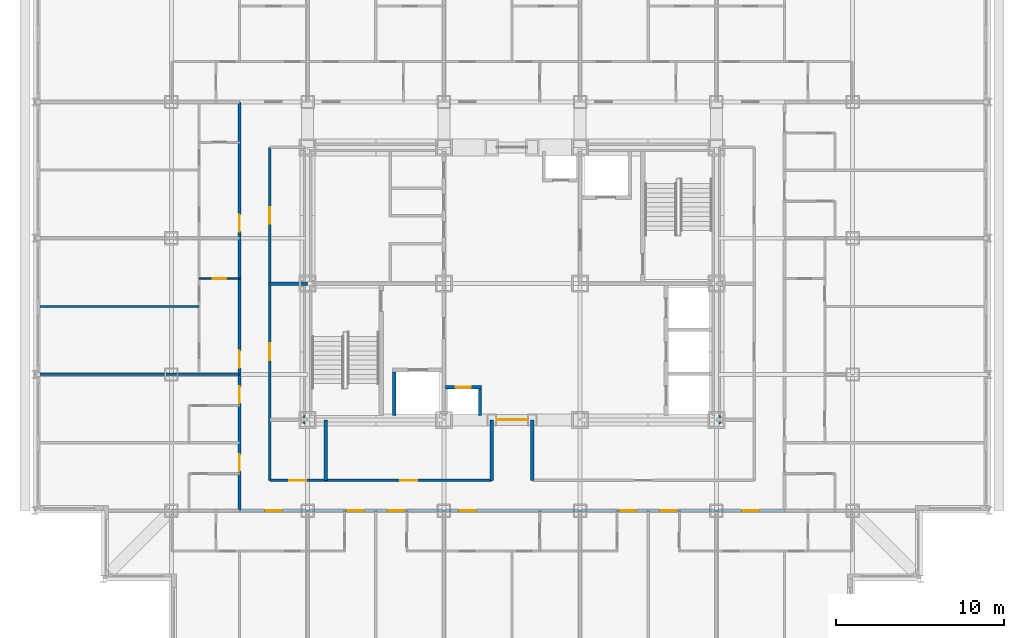
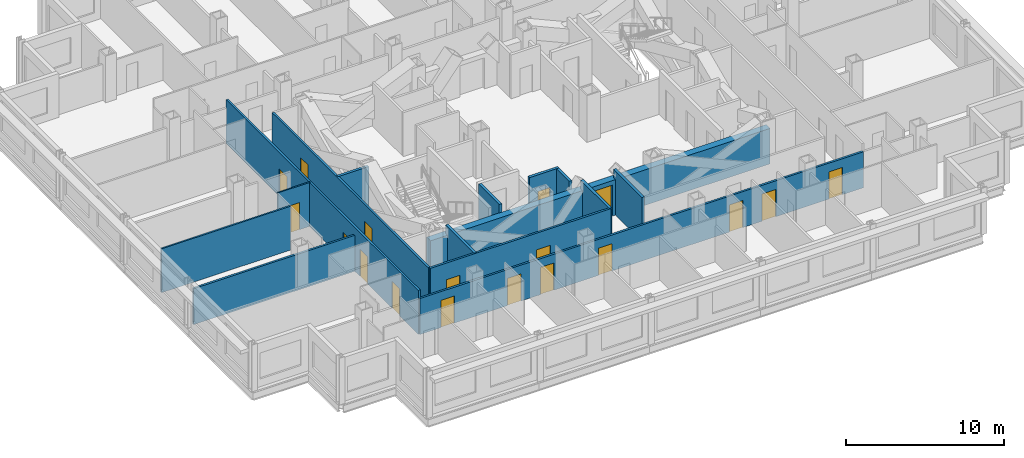
# One storey, part 5 of 12: 18 doors, 15 walls, 18 openings.
"""IFC4 building model written with IfcOpenShell, lengths in metres."""

from ifc_helpers import new_model, si_unit, direction, frame, frame_2d, origin, place, context, subcontext, project, spatial, rectangle, extrude, material, layer, layer_set, type_object, element, fill, save


model = new_model("IFC4")

# Units and contexts
model_context = context("Model", 3, precision=1e-05, world=origin(), true_north=direction((0.0, 1.0)))
body_context = subcontext(model_context, "Body", "Model", "MODEL_VIEW")
ifc_project = project(units=[si_unit("LENGTHUNIT", "METRE"), si_unit("AREAUNIT", "SQUARE_METRE"), si_unit("VOLUMEUNIT", "CUBIC_METRE"), si_unit("PLANEANGLEUNIT", "RADIAN"), si_unit("MASSUNIT", "GRAM", prefix="KILO")], contexts=[model_context])

# Site, building, storey
site_placement = place(None, origin())
site = spatial("IfcSite", under=ifc_project, at=site_placement, CompositionType="ELEMENT")
building_placement = place(site_placement, origin())
building = spatial("IfcBuilding", under=site, at=building_placement, Name="Kopane Lantern Tower", CompositionType="ELEMENT")
storey_placement = place(building_placement, frame((0.0, 0.0, 174.0)))
storey = spatial("IfcBuildingStorey", under=building, at=storey_placement, Name="L44", CompositionType="ELEMENT", Elevation=174.0)

# Wall
ifc_material_1 = material(Name="Gypsum board on steel studs", Category="steel")
ifc_layer_1 = layer(ifc_material_1, 0.1201171875)
ifc_layer_set_1 = layer_set([ifc_layer_1], Name="APARTMENT INTERNAL WALL 120")
wall_type_1 = type_object("IfcWallType", Name="APARTMENT INTERNAL WALL 120", PredefinedType="PARTITIONING", material=ifc_layer_set_1)
wall_1_placement = place(storey_placement, frame((9.75, 31.050048828125, 0.0), z_axis=(0.0, 0.0, 1.0), x_axis=(-1.0, 0.0, 0.0)))
element("IfcWall", 1, at=wall_1_placement, inside=storey, type_object=wall_type_1, Name="Apartment Internal Wall 120 L44", PredefinedType="PARTITIONING", context=body_context, shape_type="SweptSolid", body=[
    extrude(rectangle(XDim=9.449951171875, YDim=0.1201171875, at=frame_2d((4.72509765625, 0.0))), origin(), (0.0, 0.0, 1.0), 3.389892578125),
])

# Wall, opening, door
ifc_material_2 = material(Name="Moisture-resistant board on steel studs", Category="steel")
ifc_layer_2 = layer(ifc_material_2, 0.10009765625)
ifc_layer_set_2 = layer_set([ifc_layer_2], Name="BATHROOM WALL 100")
wall_type_2 = type_object("IfcWallType", Name="BATHROOM WALL 100", PredefinedType="PARTITIONING", material=ifc_layer_set_2)
wall_2_placement = place(storey_placement, frame((12.14990234375, 32.699951171875, 0.0), z_axis=(0.0, 0.0, 1.0), x_axis=(-1.0, 0.0, 0.0)))
wall_2 = element("IfcWall", 2, at=wall_2_placement, inside=storey, type_object=wall_type_2, Name="Bathroom Wall 100 L44", PredefinedType="PARTITIONING", context=body_context, shape_type="SweptSolid", body=[
    extrude(rectangle(XDim=2.39990234375, YDim=0.10009765625, at=frame_2d((1.199951171875, 0.0))), origin(), (0.0, 0.0, 1.0), 3.389892578125),
])
opening_1_placement = place(wall_2_placement, frame((0.800048828125, 0.0, 0.0)))
opening_1 = element("IfcOpeningElement", 3, at=opening_1_placement, cuts=wall_2, Name="Opening L44-036", PredefinedType="OPENING", context=body_context, shape_type="SweptSolid", body=[
    extrude(rectangle(XDim=0.800048828125, YDim=2.10009765625, at=frame_2d((0.39990234375, 1.050048828125))), frame((0.0, 0.06005859375, 0.0), z_axis=(0.0, -1.0, 0.0), x_axis=(1.0, 0.0, 0.0)), (0.0, 0.0, 1.0), 0.1201171875),
])
ifc_material_3 = material(Name="Timber door set", Category="wood")
door_type_1 = type_object("IfcDoorType", Name="DOOR D2 800x2100", OperationType="SINGLE_SWING_LEFT", PredefinedType="DOOR", material=ifc_material_3)
door_1_placement = place(opening_1_placement, origin())
door_1 = element("IfcDoor", 4, at=door_1_placement, inside=storey, type_object=door_type_1, Name="Door L44-036", OperationType="SINGLE_SWING_RIGHT", OverallHeight=2.10009765625, OverallWidth=0.800048828125, PredefinedType="DOOR", context=body_context, shape_type="SweptSolid", body=[
    extrude(rectangle(XDim=0.800048828125, YDim=2.10009765625, at=frame_2d((0.39990234375, 1.050048828125))), frame((0.0, 0.02490234375, 0.0), z_axis=(0.0, -1.0, 0.0), x_axis=(1.0, 0.0, 0.0)), (0.0, 0.0, 1.0), 0.050048828125),
])
fill(opening_1, door_1)

ifc_material_4 = material(Name="Gypsum shaft wall EI 120", Category="gypsum")
ifc_layer_3 = layer(ifc_material_4, 0.5)
ifc_layer_set_3 = layer_set([ifc_layer_3], Name="CORE PERIMETER WALL 500 EI 120")
wall_type_3 = type_object("IfcWallType", Name="CORE PERIMETER WALL 500 EI 120", PredefinedType="SOLIDWALL", material=ifc_layer_set_3)
wall_3_placement = place(storey_placement, frame((15.949951171875, 24.300048828125, 0.0), z_axis=(0.0, 0.0, 1.0), x_axis=(1.0, 0.0, 0.0)))
wall_3 = element("IfcWall", 5, at=wall_3_placement, inside=storey, type_object=wall_type_3, Name="Core shaft wall L44 PS", PredefinedType="SOLIDWALL", context=body_context, shape_type="SweptSolid", body=[
    extrude(rectangle(XDim=24.800048828125, YDim=0.5, at=frame_2d((12.39990234375, 0.0))), origin(), (0.0, 0.0, 1.0), 2.739990234375),
])
opening_2_placement = place(wall_3_placement, frame((11.5, 0.0, 0.0)))
opening_2 = element("IfcOpeningElement", 6, at=opening_2_placement, cuts=wall_3, Name="Opening 44.CE-S", PredefinedType="OPENING", context=body_context, shape_type="SweptSolid", body=[
    extrude(rectangle(XDim=1.800048828125, YDim=2.39990234375, at=frame_2d((0.89990234375, 1.199951171875))), frame((0.0, 0.260009765625, 0.0), z_axis=(0.0, -1.0, 0.0), x_axis=(1.0, 0.0, 0.0)), (0.0, 0.0, 1.0), 0.52001953125),
])
ifc_material_5 = material(Name="Steel door set", Category="steel")
door_type_2 = type_object("IfcDoorType", Name="CORE ENTRY DOOR 1800x2400 FD60S", OperationType="DOUBLE_DOOR_SINGLE_SWING", PredefinedType="DOOR", material=ifc_material_5)
door_2_placement = place(opening_2_placement, origin())
door_2 = element("IfcDoor", 7, at=door_2_placement, inside=storey, type_object=door_type_2, Name="Core entry door L44 south", OperationType="DOUBLE_DOOR_SINGLE_SWING", OverallHeight=2.39990234375, OverallWidth=1.800048828125, PredefinedType="DOOR", context=body_context, shape_type="SweptSolid", body=[
    extrude(rectangle(XDim=1.800048828125, YDim=2.39990234375, at=frame_2d((0.89990234375, 1.199951171875))), frame((0.0, 0.02490234375, 0.0), z_axis=(0.0, -1.0, 0.0), x_axis=(1.0, 0.0, 0.0)), (0.0, 0.0, 1.0), 0.050048828125),
])
fill(opening_2, door_2)

# Wall, openings, doors
ifc_material_6 = material(Name="Gypsum board on steel studs", Category="steel")
ifc_layer_4 = layer(ifc_material_6, 0.14990234375)
ifc_layer_set_4 = layer_set([ifc_layer_4], Name="CORRIDOR WALL 150 EI 60")
wall_type_4 = type_object("IfcWallType", Name="CORRIDOR WALL 150 EI 60", PredefinedType="PARTITIONING", material=ifc_layer_set_4)
wall_4_placement = place(storey_placement, frame((12.14990234375, 18.89990234375, 0.0), z_axis=(0.0, 0.0, 1.0), x_axis=(1.0, 0.0, 0.0)))
wall_4 = element("IfcWall", 8, at=wall_4_placement, inside=storey, type_object=wall_type_4, Name="Corridor Wall 150 Ei 60 L44", PredefinedType="PARTITIONING", context=body_context, shape_type="SweptSolid", body=[
    extrude(rectangle(XDim=32.400146484375, YDim=0.14990234375, at=frame_2d((16.2001953125, 0.0))), origin(), (0.0, 0.0, 1.0), 2.77783203125),
])
opening_3_placement = place(wall_4_placement, frame((6.39990234375, 0.0, 0.0)))
opening_3 = element("IfcOpeningElement", 9, at=opening_3_placement, cuts=wall_4, Name="Opening L44-009", PredefinedType="OPENING", context=body_context, shape_type="SweptSolid", body=[
    extrude(rectangle(XDim=1.0, YDim=2.10009765625, at=frame_2d((0.5, 1.050048828125))), frame((0.0, 0.0849609375, 0.0), z_axis=(0.0, -1.0, 0.0), x_axis=(1.0, 0.0, 0.0)), (0.0, 0.0, 1.0), 0.169921875),
])
opening_4_placement = place(wall_4_placement, frame((8.800048828125, 0.0, 0.0)))
opening_4 = element("IfcOpeningElement", 10, at=opening_4_placement, cuts=wall_4, Name="Opening L44-011", PredefinedType="OPENING", context=body_context, shape_type="SweptSolid", body=[
    extrude(rectangle(XDim=1.0, YDim=2.10009765625, at=frame_2d((0.5, 1.050048828125))), frame((0.0, 0.0849609375, 0.0), z_axis=(0.0, -1.0, 0.0), x_axis=(1.0, 0.0, 0.0)), (0.0, 0.0, 1.0), 0.169921875),
])
opening_5_placement = place(wall_4_placement, frame((13.050048828125, 0.0, 0.0)))
opening_5 = element("IfcOpeningElement", 11, at=opening_5_placement, cuts=wall_4, Name="Opening L44-013", PredefinedType="OPENING", context=body_context, shape_type="SweptSolid", body=[
    extrude(rectangle(XDim=1.0, YDim=2.10009765625, at=frame_2d((0.5, 1.050048828125))), frame((0.0, 0.0849609375, 0.0), z_axis=(0.0, -1.0, 0.0), x_axis=(1.0, 0.0, 0.0)), (0.0, 0.0, 1.0), 0.169921875),
])
opening_6_placement = place(wall_4_placement, frame((22.60009765625, 0.0, 0.0)))
opening_6 = element("IfcOpeningElement", 12, at=opening_6_placement, cuts=wall_4, Name="Opening L44-017", PredefinedType="OPENING", context=body_context, shape_type="SweptSolid", body=[
    extrude(rectangle(XDim=1.0, YDim=2.10009765625, at=frame_2d((0.5, 1.050048828125))), frame((0.0, 0.0849609375, 0.0), z_axis=(0.0, -1.0, 0.0), x_axis=(1.0, 0.0, 0.0)), (0.0, 0.0, 1.0), 0.169921875),
])
opening_7_placement = place(wall_4_placement, frame((25.0, 0.0, 0.0)))
opening_7 = element("IfcOpeningElement", 13, at=opening_7_placement, cuts=wall_4, Name="Opening L44-019", PredefinedType="OPENING", context=body_context, shape_type="SweptSolid", body=[
    extrude(rectangle(XDim=1.0, YDim=2.10009765625, at=frame_2d((0.5, 1.050048828125))), frame((0.0, 0.0849609375, 0.0), z_axis=(0.0, -1.0, 0.0), x_axis=(1.0, 0.0, 0.0)), (0.0, 0.0, 1.0), 0.169921875),
])
opening_8_placement = place(wall_4_placement, frame((1.52490234375, 0.0, 0.0)))
opening_8 = element("IfcOpeningElement", 14, at=opening_8_placement, cuts=wall_4, Name="Opening L44-054", PredefinedType="OPENING", context=body_context, shape_type="SweptSolid", body=[
    extrude(rectangle(XDim=1.0, YDim=2.10009765625, at=frame_2d((0.5, 1.050048828125))), frame((0.0, 0.0849609375, 0.0), z_axis=(0.0, -1.0, 0.0), x_axis=(1.0, 0.0, 0.0)), (0.0, 0.0, 1.0), 0.169921875),
])
opening_9_placement = place(wall_4_placement, frame((29.875, 0.0, 0.0)))
opening_9 = element("IfcOpeningElement", 15, at=opening_9_placement, cuts=wall_4, Name="Opening L44-058", PredefinedType="OPENING", context=body_context, shape_type="SweptSolid", body=[
    extrude(rectangle(XDim=1.0, YDim=2.10009765625, at=frame_2d((0.5, 1.050048828125))), frame((0.0, 0.0849609375, 0.0), z_axis=(0.0, -1.0, 0.0), x_axis=(1.0, 0.0, 0.0)), (0.0, 0.0, 1.0), 0.169921875),
])
ifc_material_7 = material(Name="Steel door set", Category="steel")
door_type_3 = type_object("IfcDoorType", Name="DOOR D3 1000x2100 FD30S", OperationType="SINGLE_SWING_LEFT", PredefinedType="DOOR", material=ifc_material_7)
door_3_placement = place(opening_3_placement, origin())
door_3 = element("IfcDoor", 16, at=door_3_placement, inside=storey, type_object=door_type_3, Name="Door L44-009", OperationType="SINGLE_SWING_RIGHT", OverallHeight=2.10009765625, OverallWidth=1.0, PredefinedType="DOOR", context=body_context, shape_type="SweptSolid", body=[
    extrude(rectangle(XDim=1.0, YDim=2.10009765625, at=frame_2d((0.5, 1.050048828125))), frame((0.0, 0.02490234375, 0.0), z_axis=(0.0, -1.0, 0.0), x_axis=(1.0, 0.0, 0.0)), (0.0, 0.0, 1.0), 0.050048828125),
])
fill(opening_3, door_3)
door_4_placement = place(opening_4_placement, origin())
door_4 = element("IfcDoor", 17, at=door_4_placement, inside=storey, type_object=door_type_3, Name="Door L44-011", OperationType="SINGLE_SWING_LEFT", OverallHeight=2.10009765625, OverallWidth=1.0, PredefinedType="DOOR", context=body_context, shape_type="SweptSolid", body=[
    extrude(rectangle(XDim=1.0, YDim=2.10009765625, at=frame_2d((0.5, 1.050048828125))), frame((0.0, 0.02490234375, 0.0), z_axis=(0.0, -1.0, 0.0), x_axis=(1.0, 0.0, 0.0)), (0.0, 0.0, 1.0), 0.050048828125),
])
fill(opening_4, door_4)
door_5_placement = place(opening_5_placement, origin())
door_5 = element("IfcDoor", 18, at=door_5_placement, inside=storey, type_object=door_type_3, Name="Door L44-013", OperationType="SINGLE_SWING_RIGHT", OverallHeight=2.10009765625, OverallWidth=1.0, PredefinedType="DOOR", context=body_context, shape_type="SweptSolid", body=[
    extrude(rectangle(XDim=1.0, YDim=2.10009765625, at=frame_2d((0.5, 1.050048828125))), frame((0.0, 0.02490234375, 0.0), z_axis=(0.0, -1.0, 0.0), x_axis=(1.0, 0.0, 0.0)), (0.0, 0.0, 1.0), 0.050048828125),
])
fill(opening_5, door_5)
door_6_placement = place(opening_6_placement, origin())
door_6 = element("IfcDoor", 19, at=door_6_placement, inside=storey, type_object=door_type_3, Name="Door L44-017", OperationType="SINGLE_SWING_RIGHT", OverallHeight=2.10009765625, OverallWidth=1.0, PredefinedType="DOOR", context=body_context, shape_type="SweptSolid", body=[
    extrude(rectangle(XDim=1.0, YDim=2.10009765625, at=frame_2d((0.5, 1.050048828125))), frame((0.0, 0.02490234375, 0.0), z_axis=(0.0, -1.0, 0.0), x_axis=(1.0, 0.0, 0.0)), (0.0, 0.0, 1.0), 0.050048828125),
])
fill(opening_6, door_6)
door_7_placement = place(opening_7_placement, origin())
door_7 = element("IfcDoor", 20, at=door_7_placement, inside=storey, type_object=door_type_3, Name="Door L44-019", OperationType="SINGLE_SWING_LEFT", OverallHeight=2.10009765625, OverallWidth=1.0, PredefinedType="DOOR", context=body_context, shape_type="SweptSolid", body=[
    extrude(rectangle(XDim=1.0, YDim=2.10009765625, at=frame_2d((0.5, 1.050048828125))), frame((0.0, 0.02490234375, 0.0), z_axis=(0.0, -1.0, 0.0), x_axis=(1.0, 0.0, 0.0)), (0.0, 0.0, 1.0), 0.050048828125),
])
fill(opening_7, door_7)
door_8_placement = place(opening_8_placement, origin())
door_8 = element("IfcDoor", 21, at=door_8_placement, inside=storey, type_object=door_type_3, Name="Door L44-054", OperationType="SINGLE_SWING_LEFT", OverallHeight=2.10009765625, OverallWidth=1.0, PredefinedType="DOOR", context=body_context, shape_type="SweptSolid", body=[
    extrude(rectangle(XDim=1.0, YDim=2.10009765625, at=frame_2d((0.5, 1.050048828125))), frame((0.0, 0.02490234375, 0.0), z_axis=(0.0, -1.0, 0.0), x_axis=(1.0, 0.0, 0.0)), (0.0, 0.0, 1.0), 0.050048828125),
])
fill(opening_8, door_8)
door_9_placement = place(opening_9_placement, origin())
door_9 = element("IfcDoor", 22, at=door_9_placement, inside=storey, type_object=door_type_3, Name="Door L44-058", OperationType="SINGLE_SWING_RIGHT", OverallHeight=2.10009765625, OverallWidth=1.0, PredefinedType="DOOR", context=body_context, shape_type="SweptSolid", body=[
    extrude(rectangle(XDim=1.0, YDim=2.10009765625, at=frame_2d((0.5, 1.050048828125))), frame((0.0, 0.02490234375, 0.0), z_axis=(0.0, -1.0, 0.0), x_axis=(1.0, 0.0, 0.0)), (0.0, 0.0, 1.0), 0.050048828125),
])
fill(opening_9, door_9)

wall_5_placement = place(storey_placement, frame((12.14990234375, 18.89990234375, 0.0), z_axis=(0.0, 0.0, 1.0), x_axis=(0.0, 1.0, 0.0)))
wall_5 = element("IfcWall", 23, at=wall_5_placement, inside=storey, type_object=wall_type_4, Name="Corridor Wall 150 Ei 60 L44", PredefinedType="PARTITIONING", context=body_context, shape_type="SweptSolid", body=[
    extrude(rectangle(XDim=24.300048828125, YDim=0.14990234375, at=frame_2d((12.14990234375, 0.0))), origin(), (0.0, 0.0, 1.0), 3.389892578125),
])
opening_10_placement = place(wall_5_placement, frame((2.35009765625, 0.0, 0.0)))
opening_10 = element("IfcOpeningElement", 24, at=opening_10_placement, cuts=wall_5, Name="Opening L44-033", PredefinedType="OPENING", context=body_context, shape_type="SweptSolid", body=[
    extrude(rectangle(XDim=1.0, YDim=2.10009765625, at=frame_2d((0.5, 1.050048828125))), frame((0.0, 0.0849609375, 0.0), z_axis=(0.0, -1.0, 0.0), x_axis=(1.0, 0.0, 0.0)), (0.0, 0.0, 1.0), 0.169921875),
])
opening_11_placement = place(wall_5_placement, frame((6.39990234375, 0.0, 0.0)))
opening_11 = element("IfcOpeningElement", 25, at=opening_11_placement, cuts=wall_5, Name="Opening L44-035", PredefinedType="OPENING", context=body_context, shape_type="SweptSolid", body=[
    extrude(rectangle(XDim=1.0, YDim=2.10009765625, at=frame_2d((0.5, 1.050048828125))), frame((0.0, 0.0849609375, 0.0), z_axis=(0.0, -1.0, 0.0), x_axis=(1.0, 0.0, 0.0)), (0.0, 0.0, 1.0), 0.169921875),
])
opening_12_placement = place(wall_5_placement, frame((8.5, 0.0, 0.0)))
opening_12 = element("IfcOpeningElement", 26, at=opening_12_placement, cuts=wall_5, Name="Opening L44-037", PredefinedType="OPENING", context=body_context, shape_type="SweptSolid", body=[
    extrude(rectangle(XDim=1.0, YDim=2.10009765625, at=frame_2d((0.5, 1.050048828125))), frame((0.0, 0.0849609375, 0.0), z_axis=(0.0, -1.0, 0.0), x_axis=(1.0, 0.0, 0.0)), (0.0, 0.0, 1.0), 0.169921875),
])
opening_13_placement = place(wall_5_placement, frame((16.60009765625, 0.0, 0.0)))
opening_13 = element("IfcOpeningElement", 27, at=opening_13_placement, cuts=wall_5, Name="Opening L44-041", PredefinedType="OPENING", context=body_context, shape_type="SweptSolid", body=[
    extrude(rectangle(XDim=1.0, YDim=2.10009765625, at=frame_2d((0.5, 1.050048828125))), frame((0.0, 0.0849609375, 0.0), z_axis=(0.0, -1.0, 0.0), x_axis=(1.0, 0.0, 0.0)), (0.0, 0.0, 1.0), 0.169921875),
])
door_10_placement = place(opening_10_placement, origin())
door_10 = element("IfcDoor", 28, at=door_10_placement, inside=storey, type_object=door_type_3, Name="Door L44-033", OperationType="SINGLE_SWING_LEFT", OverallHeight=2.10009765625, OverallWidth=1.0, PredefinedType="DOOR", context=body_context, shape_type="SweptSolid", body=[
    extrude(rectangle(XDim=1.0, YDim=2.10009765625, at=frame_2d((0.5, 1.050048828125))), frame((0.0, 0.02490234375, 0.0), z_axis=(0.0, -1.0, 0.0), x_axis=(1.0, 0.0, 0.0)), (0.0, 0.0, 1.0), 0.050048828125),
])
fill(opening_10, door_10)
door_11_placement = place(opening_11_placement, origin())
door_11 = element("IfcDoor", 29, at=door_11_placement, inside=storey, type_object=door_type_3, Name="Door L44-035", OperationType="SINGLE_SWING_LEFT", OverallHeight=2.10009765625, OverallWidth=1.0, PredefinedType="DOOR", context=body_context, shape_type="SweptSolid", body=[
    extrude(rectangle(XDim=1.0, YDim=2.10009765625, at=frame_2d((0.5, 1.050048828125))), frame((0.0, 0.02490234375, 0.0), z_axis=(0.0, -1.0, 0.0), x_axis=(1.0, 0.0, 0.0)), (0.0, 0.0, 1.0), 0.050048828125),
])
fill(opening_11, door_11)
door_12_placement = place(opening_12_placement, origin())
door_12 = element("IfcDoor", 30, at=door_12_placement, inside=storey, type_object=door_type_3, Name="Door L44-037", OperationType="SINGLE_SWING_LEFT", OverallHeight=2.10009765625, OverallWidth=1.0, PredefinedType="DOOR", context=body_context, shape_type="SweptSolid", body=[
    extrude(rectangle(XDim=1.0, YDim=2.10009765625, at=frame_2d((0.5, 1.050048828125))), frame((0.0, 0.02490234375, 0.0), z_axis=(0.0, -1.0, 0.0), x_axis=(1.0, 0.0, 0.0)), (0.0, 0.0, 1.0), 0.050048828125),
])
fill(opening_12, door_12)
door_13_placement = place(opening_13_placement, origin())
door_13 = element("IfcDoor", 31, at=door_13_placement, inside=storey, type_object=door_type_3, Name="Door L44-041", OperationType="SINGLE_SWING_LEFT", OverallHeight=2.10009765625, OverallWidth=1.0, PredefinedType="DOOR", context=body_context, shape_type="SweptSolid", body=[
    extrude(rectangle(XDim=1.0, YDim=2.10009765625, at=frame_2d((0.5, 1.050048828125))), frame((0.0, 0.02490234375, 0.0), z_axis=(0.0, -1.0, 0.0), x_axis=(1.0, 0.0, 0.0)), (0.0, 0.0, 1.0), 0.050048828125),
])
fill(opening_13, door_13)

wall_6_placement = place(storey_placement, frame((13.949951171875, 40.5, 0.0), z_axis=(0.0, 0.0, 1.0), x_axis=(0.0, -1.0, 0.0)))
wall_6 = element("IfcWall", 32, at=wall_6_placement, inside=storey, type_object=wall_type_4, Name="Corridor Wall 150 Ei 60 L44", PredefinedType="PARTITIONING", context=body_context, shape_type="SweptSolid", body=[
    extrude(rectangle(XDim=19.800048828125, YDim=0.14990234375, at=frame_2d((9.89990234375, 0.0))), origin(), (0.0, 0.0, 1.0), 3.389892578125),
])
opening_14_placement = place(wall_6_placement, frame((11.64990234375, 0.0, 0.0)))
opening_14 = element("IfcOpeningElement", 33, at=opening_14_placement, cuts=wall_6, Name="Opening L44-001", PredefinedType="OPENING", context=body_context, shape_type="SweptSolid", body=[
    extrude(rectangle(XDim=1.0, YDim=2.10009765625, at=frame_2d((0.5, 1.050048828125))), frame((0.0, 0.0849609375, 0.0), z_axis=(0.0, -1.0, 0.0), x_axis=(1.0, 0.0, 0.0)), (0.0, 0.0, 1.0), 0.169921875),
])
opening_15_placement = place(wall_6_placement, frame((3.550048828125, 0.0, 0.0)))
opening_15 = element("IfcOpeningElement", 34, at=opening_15_placement, cuts=wall_6, Name="Opening L44-002", PredefinedType="OPENING", context=body_context, shape_type="SweptSolid", body=[
    extrude(rectangle(XDim=1.0, YDim=2.10009765625, at=frame_2d((0.5, 1.050048828125))), frame((0.0, 0.0849609375, 0.0), z_axis=(0.0, -1.0, 0.0), x_axis=(1.0, 0.0, 0.0)), (0.0, 0.0, 1.0), 0.169921875),
])
ifc_material_8 = material(Name="Steel door set", Category="steel")
door_type_4 = type_object("IfcDoorType", Name="DOOR D5 1000x2100 FD60", OperationType="SINGLE_SWING_LEFT", PredefinedType="DOOR", material=ifc_material_8)
door_14_placement = place(opening_14_placement, origin())
door_14 = element("IfcDoor", 35, at=door_14_placement, inside=storey, type_object=door_type_4, Name="Door L44-001", OperationType="SINGLE_SWING_RIGHT", OverallHeight=2.10009765625, OverallWidth=1.0, PredefinedType="DOOR", context=body_context, shape_type="SweptSolid", body=[
    extrude(rectangle(XDim=1.0, YDim=2.10009765625, at=frame_2d((0.5, 1.050048828125))), frame((0.0, 0.02490234375, 0.0), z_axis=(0.0, -1.0, 0.0), x_axis=(1.0, 0.0, 0.0)), (0.0, 0.0, 1.0), 0.050048828125),
])
fill(opening_14, door_14)
door_15_placement = place(opening_15_placement, origin())
door_15 = element("IfcDoor", 36, at=door_15_placement, inside=storey, type_object=door_type_4, Name="Door L44-002", OperationType="SINGLE_SWING_LEFT", OverallHeight=2.10009765625, OverallWidth=1.0, PredefinedType="DOOR", context=body_context, shape_type="SweptSolid", body=[
    extrude(rectangle(XDim=1.0, YDim=2.10009765625, at=frame_2d((0.5, 1.050048828125))), frame((0.0, 0.02490234375, 0.0), z_axis=(0.0, -1.0, 0.0), x_axis=(1.0, 0.0, 0.0)), (0.0, 0.0, 1.0), 0.050048828125),
])
fill(opening_15, door_15)

wall_7_placement = place(storey_placement, frame((13.949951171875, 20.699951171875, 0.0), z_axis=(0.0, 0.0, 1.0), x_axis=(1.0, 0.0, 0.0)))
wall_7 = element("IfcWall", 37, at=wall_7_placement, inside=storey, type_object=wall_type_4, Name="Corridor Wall 150 Ei 60 L44", PredefinedType="PARTITIONING", context=body_context, shape_type="SweptSolid", body=[
    extrude(rectangle(XDim=13.18994140625, YDim=0.14990234375, at=frame_2d((6.594970703125, 0.0))), origin(), (0.0, 0.0, 1.0), 3.389892578125),
])
opening_16_placement = place(wall_7_placement, frame((1.166748046875, 0.0, 0.0)))
opening_16 = element("IfcOpeningElement", 38, at=opening_16_placement, cuts=wall_7, Name="Opening L44-005", PredefinedType="OPENING", context=body_context, shape_type="SweptSolid", body=[
    extrude(rectangle(XDim=1.0, YDim=2.10009765625, at=frame_2d((0.5, 1.050048828125))), frame((0.0, 0.0849609375, 0.0), z_axis=(0.0, -1.0, 0.0), x_axis=(1.0, 0.0, 0.0)), (0.0, 0.0, 1.0), 0.169921875),
])
opening_17_placement = place(wall_7_placement, frame((7.7666015625, 0.0, 0.0)))
opening_17 = element("IfcOpeningElement", 39, at=opening_17_placement, cuts=wall_7, Name="Opening L44-006", PredefinedType="OPENING", context=body_context, shape_type="SweptSolid", body=[
    extrude(rectangle(XDim=1.0, YDim=2.10009765625, at=frame_2d((0.5, 1.050048828125))), frame((0.0, 0.0849609375, 0.0), z_axis=(0.0, -1.0, 0.0), x_axis=(1.0, 0.0, 0.0)), (0.0, 0.0, 1.0), 0.169921875),
])
door_16_placement = place(opening_16_placement, origin())
door_16 = element("IfcDoor", 40, at=door_16_placement, inside=storey, type_object=door_type_4, Name="Door L44-005", OperationType="SINGLE_SWING_LEFT", OverallHeight=2.10009765625, OverallWidth=1.0, PredefinedType="DOOR", context=body_context, shape_type="SweptSolid", body=[
    extrude(rectangle(XDim=1.0, YDim=2.10009765625, at=frame_2d((0.5, 1.050048828125))), frame((0.0, 0.02490234375, 0.0), z_axis=(0.0, -1.0, 0.0), x_axis=(1.0, 0.0, 0.0)), (0.0, 0.0, 1.0), 0.050048828125),
])
fill(opening_16, door_16)
door_17_placement = place(opening_17_placement, origin())
door_17 = element("IfcDoor", 41, at=door_17_placement, inside=storey, type_object=door_type_4, Name="Door L44-006", OperationType="SINGLE_SWING_RIGHT", OverallHeight=2.10009765625, OverallWidth=1.0, PredefinedType="DOOR", context=body_context, shape_type="SweptSolid", body=[
    extrude(rectangle(XDim=1.0, YDim=2.10009765625, at=frame_2d((0.5, 1.050048828125))), frame((0.0, 0.02490234375, 0.0), z_axis=(0.0, -1.0, 0.0), x_axis=(1.0, 0.0, 0.0)), (0.0, 0.0, 1.0), 0.050048828125),
])
fill(opening_17, door_17)

# Walls
ifc_material_9 = material(Name="Gypsum board on steel studs", Category="steel")
ifc_layer_5 = layer(ifc_material_9, 0.14990234375)
ifc_layer_set_5 = layer_set([ifc_layer_5], Name="DEMISING WALL 150 EI 60")
wall_type_5 = type_object("IfcWallType", Name="DEMISING WALL 150 EI 60", PredefinedType="PARTITIONING", material=ifc_layer_set_5)
wall_8_placement = place(storey_placement, frame((12.14990234375, 27.0, 0.0), z_axis=(0.0, 0.0, 1.0), x_axis=(-1.0, 0.0, 0.0)))
element("IfcWall", 42, at=wall_8_placement, inside=storey, type_object=wall_type_5, Name="Demising Wall 150 Ei 60 L44", PredefinedType="PARTITIONING", context=body_context, shape_type="SweptSolid", body=[
    extrude(rectangle(XDim=11.849853515625, YDim=0.14990234375, at=frame_2d((5.9248046875, 0.0))), origin(), (0.0, 0.0, 1.0), 2.77783203125),
])
ifc_material_10 = material(Name="Concrete masonry", Category="masonry")
ifc_layer_6 = layer(ifc_material_10, 0.199951171875)
ifc_layer_set_6 = layer_set([ifc_layer_6], Name="PLANT ROOM WALL 200 EI 120")
wall_type_6 = type_object("IfcWallType", Name="PLANT ROOM WALL 200 EI 120", PredefinedType="SOLIDWALL", material=ifc_layer_set_6)
wall_9_placement = place(storey_placement, frame((13.949951171875, 32.39990234375, 0.0), z_axis=(0.0, 0.0, 1.0), x_axis=(1.0, 0.0, 0.0)))
element("IfcWall", 43, at=wall_9_placement, inside=storey, type_object=wall_type_6, Name="Plant Room Wall 200 Ei 120 L44", PredefinedType="SOLIDWALL", context=body_context, shape_type="SweptSolid", body=[
    extrude(rectangle(XDim=2.25, YDim=0.199951171875, at=frame_2d((1.125, 0.0))), origin(), (0.0, 0.0, 1.0), 3.389892578125),
])
for number, where, z_axis, x_axis, name in (
    (44, (17.283203125, 20.699951171875, 0.0), (0.0, 0.0, 1.0), (0.0, 1.0, 0.0), "Plant Room Wall 200 Ei 120 L44"),
    (45, (27.14990234375, 20.699951171875, 0.0), (0.0, 0.0, 1.0), (0.0, 1.0, 0.0), "Plant Room Wall 200 Ei 120 L44"),
    (46, (29.550048828125, 20.699951171875, 0.0), (0.0, 0.0, 1.0), (0.0, 1.0, 0.0), "Plant Room Wall 200 Ei 120 L44"),
):
    element("IfcWall", number, at=place(storey_placement, frame(where, z_axis=z_axis, x_axis=x_axis)), inside=storey, type_object=wall_type_6, Name=name, PredefinedType="SOLIDWALL", context=body_context, shape_type="SweptSolid", body=[
        extrude(rectangle(XDim=3.60009765625, YDim=0.199951171875, at=frame_2d((1.800048828125, 0.0))), origin(), (0.0, 0.0, 1.0), 3.389892578125),
    ])
ifc_material_11 = material(Name="Gypsum shaft wall EI 120", Category="gypsum")
ifc_layer_7 = layer(ifc_material_11, 0.199951171875)
ifc_layer_set_7 = layer_set([ifc_layer_7], Name="SHAFT WALL 200 EI 120")
wall_type_7 = type_object("IfcWallType", Name="SHAFT WALL 200 EI 120", PredefinedType="SOLIDWALL", material=ifc_layer_set_7)
wall_10_placement = place(storey_placement, frame((21.35009765625, 24.550048828125, 0.0), z_axis=(0.0, 0.0, 1.0), x_axis=(0.0, 1.0, 0.0)))
element("IfcWall", 47, at=wall_10_placement, inside=storey, type_object=wall_type_7, Name="Core shaft wall L44 XLF1", PredefinedType="SOLIDWALL", context=body_context, shape_type="SweptSolid", body=[
    extrude(rectangle(XDim=2.599853515625, YDim=0.199951171875, at=frame_2d((1.2998046875, 0.0))), origin(), (0.0, 0.0, 1.0), 3.389892578125),
])
wall_11_placement = place(storey_placement, frame((26.449951171875, 24.550048828125, 0.0), z_axis=(0.0, 0.0, 1.0), x_axis=(0.0, 1.0, 0.0)))
element("IfcWall", 48, at=wall_11_placement, inside=storey, type_object=wall_type_7, Name="Core shaft wall L44 XRS1", PredefinedType="SOLIDWALL", context=body_context, shape_type="SweptSolid", body=[
    extrude(rectangle(XDim=1.599853515625, YDim=0.199951171875, at=frame_2d((0.7998046875, 0.0))), origin(), (0.0, 0.0, 1.0), 3.389892578125),
])

# Wall, opening, door
wall_12_placement = place(storey_placement, frame((24.39990234375, 26.25, 0.0), z_axis=(0.0, 0.0, 1.0), x_axis=(1.0, 0.0, 0.0)))
wall_12 = element("IfcWall", 49, at=wall_12_placement, inside=storey, type_object=wall_type_7, Name="Core shaft wall L44 YRS1", PredefinedType="SOLIDWALL", context=body_context, shape_type="SweptSolid", body=[
    extrude(rectangle(XDim=2.150146484375, YDim=0.199951171875, at=frame_2d((1.0751953125, 0.0))), origin(), (0.0, 0.0, 1.0), 3.389892578125),
])
opening_18_placement = place(wall_12_placement, frame((0.60009765625, 0.0, 0.0)))
opening_18 = element("IfcOpeningElement", 50, at=opening_18_placement, cuts=wall_12, Name="Opening 44.RS1", PredefinedType="OPENING", context=body_context, shape_type="SweptSolid", body=[
    extrude(rectangle(XDim=0.89990234375, YDim=2.10009765625, at=frame_2d((0.449951171875, 1.050048828125))), frame((0.0, 0.10986328125, 0.0), z_axis=(0.0, -1.0, 0.0), x_axis=(1.0, 0.0, 0.0)), (0.0, 0.0, 1.0), 0.219970703125),
])
ifc_material_12 = material(Name="Steel door set", Category="steel")
door_type_5 = type_object("IfcDoorType", Name="RISER ACCESS DOOR 900x2100 FD60", OperationType="SINGLE_SWING_LEFT", PredefinedType="DOOR", material=ifc_material_12)
door_18_placement = place(opening_18_placement, origin())
door_18 = element("IfcDoor", 51, at=door_18_placement, inside=storey, type_object=door_type_5, Name="Riser access door RS1 L44", OperationType="SINGLE_SWING_LEFT", OverallHeight=2.10009765625, OverallWidth=0.89990234375, PredefinedType="DOOR", context=body_context, shape_type="SweptSolid", body=[
    extrude(rectangle(XDim=0.89990234375, YDim=2.10009765625, at=frame_2d((0.449951171875, 1.050048828125))), frame((0.0, 0.02490234375, 0.0), z_axis=(0.0, -1.0, 0.0), x_axis=(1.0, 0.0, 0.0)), (0.0, 0.0, 1.0), 0.050048828125),
])
fill(opening_18, door_18)

save(model, "model.ifc")
